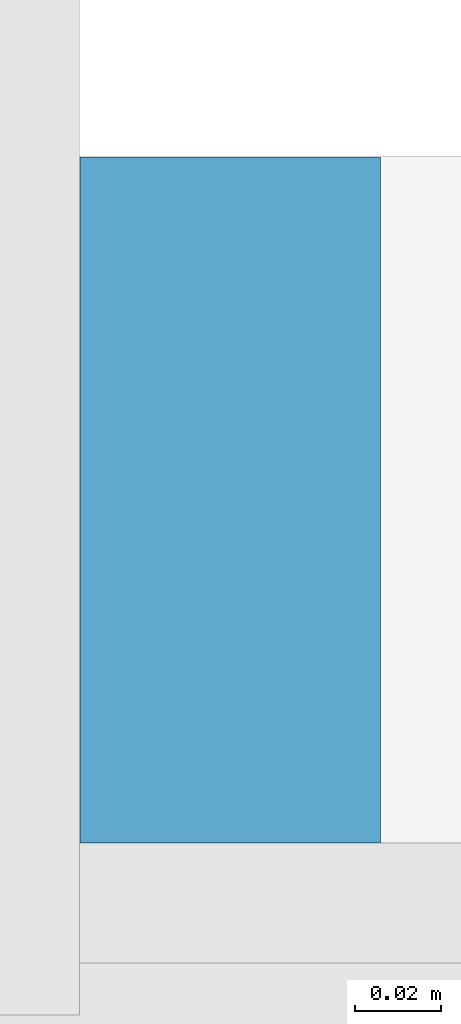
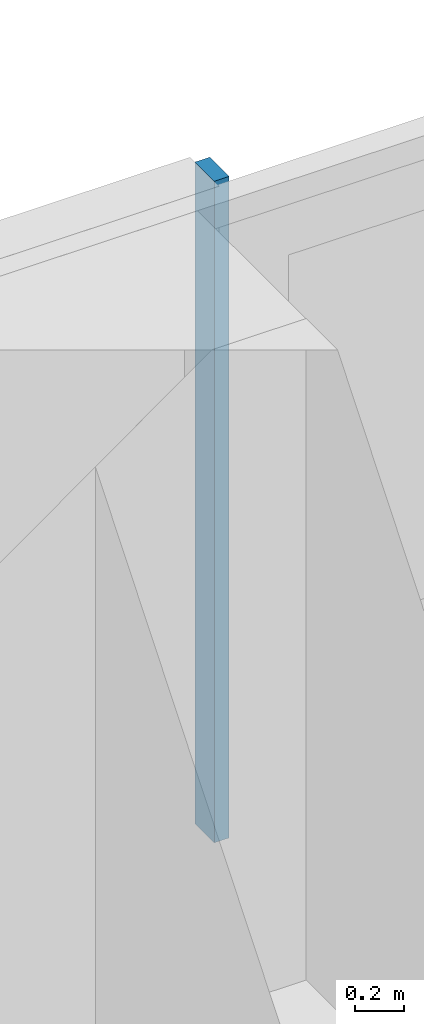
# One storey, part 10 of 29: 1 member, 1 element without a shape of its own.
"""IFC4 building model written with IfcOpenShell, lengths in metres."""

import ifcopenshell
import ifcopenshell.guid

model = None  # the IFC model being written
_history = None  # IfcOwnerHistory: only IFC2X3 demands one
_inside = {}  # id of a spatial element -> (the spatial element, [elements in it])
_under = {}  # id of a project, library or spatial element -> (it, [spatial elements below it])
_declared = {}  # id of a project -> (the project, [libraries it declares])
_typed = {}  # id of a type object -> (the type object, [elements of that type])
_made_of = {}  # id of a material, layer set ... -> (it, [elements and type objects made of it])


def new_model(schema):
    """Start an empty IFC model of exactly this schema.

    Asked for "IFC4X3", IfcOpenShell would pick the latest addendum, in which some entities
    have other attributes; the version numbers below select the first issue.
    IFC2X3 requires an IfcOwnerHistory on every rooted entity: one is made here for all.
    """
    global model, _history
    if schema == "IFC4X3":
        model = ifcopenshell.file(schema_version=(4, 3, 0, 0))
    else:
        model = ifcopenshell.file(schema=schema)
    _inside.clear()
    _under.clear()
    _declared.clear()
    _typed.clear()
    _made_of.clear()
    _history = None
    if model.schema == "IFC2X3":
        org = make("IfcOrganization", Name="unknown")
        user = make(
            "IfcPersonAndOrganization",
            ThePerson=make("IfcPerson", FamilyName="unknown"),
            TheOrganization=org,
        )
        app = make(
            "IfcApplication",
            ApplicationDeveloper=org,
            Version="unknown",
            ApplicationFullName="unknown",
            ApplicationIdentifier="unknown",
        )
        _history = make(
            "IfcOwnerHistory",
            OwningUser=user,
            OwningApplication=app,
            ChangeAction="ADDED",
            CreationDate=0,
        )
    return model


def make(cls, **values):
    """One entity of the class cls with the attributes given. An attribute that is None is left unset."""
    return model.create_entity(
        cls, **{name: value for name, value in values.items() if value is not None}
    )


def rooted(cls, **values):
    """An entity with a GlobalId (a new one), such as an element, a storey or a relation."""
    return make(cls, GlobalId=ifcopenshell.guid.new(), OwnerHistory=_history, **values)


def si_unit(unit_type, name, prefix=None):
    """IfcSIUnit, for example si_unit("LENGTHUNIT", "METRE", prefix="MILLI")."""
    return make("IfcSIUnit", UnitType=unit_type, Prefix=prefix, Name=name)


def assignment(units):
    """IfcUnitAssignment: the units of a project."""
    return None if units is None else make("IfcUnitAssignment", Units=units)


def point(xyz):
    """IfcCartesianPoint."""
    return None if xyz is None else make("IfcCartesianPoint", Coordinates=xyz)


def direction(xyz):
    """IfcDirection."""
    return None if xyz is None else make("IfcDirection", DirectionRatios=xyz)


def frame(location, z_axis=None, x_axis=None):
    """IfcAxis2Placement3D, a coordinate frame: its origin and axes. An axis left out is left unset."""
    return make(
        "IfcAxis2Placement3D",
        Location=point(location),
        Axis=direction(z_axis),
        RefDirection=direction(x_axis),
    )


def frame_2d(location, x_axis=None):
    """IfcAxis2Placement2D, a coordinate frame in the plane: its origin and x axis."""
    return make(
        "IfcAxis2Placement2D", Location=point(location), RefDirection=direction(x_axis)
    )


def origin():
    """The frame at (0, 0, 0) with its axes left unset."""
    return frame((0.0, 0.0, 0.0))


def origin_2d():
    """The frame at (0, 0) in the plane with its x axis left unset."""
    return frame_2d((0.0, 0.0))


def place(relative_to, where):
    """IfcLocalPlacement: puts the frame where relative to a parent placement (None: the world)."""
    return make(
        "IfcLocalPlacement", PlacementRelTo=relative_to, RelativePlacement=where
    )


def context(
    kind, dimensions, precision=None, world=None, true_north=None, identifier=None
):
    """IfcGeometricRepresentationContext, for example the 3D "Model" context."""
    return make(
        "IfcGeometricRepresentationContext",
        ContextIdentifier=identifier,
        ContextType=kind,
        CoordinateSpaceDimension=dimensions,
        Precision=precision,
        WorldCoordinateSystem=world,
        TrueNorth=true_north,
    )


def subcontext(parent, identifier, kind, view, scale=None):
    """IfcGeometricRepresentationSubContext, for example "Body" below "Model"."""
    return make(
        "IfcGeometricRepresentationSubContext",
        ContextIdentifier=identifier,
        ContextType=kind,
        ParentContext=parent,
        TargetScale=scale,
        TargetView=view,
    )


def project(units=None, contexts=None):
    """IfcProject with its units and contexts."""
    return rooted(
        "IfcProject",
        Name="project",
        RepresentationContexts=contexts,
        UnitsInContext=assignment(units),
    )


def spatial(cls, under=None, at=None, **own):
    """A site, building, storey or space (cls), placed at a placement, below another one or the project."""
    s = rooted(cls, ObjectPlacement=at, **own)
    if under is not None:
        _under.setdefault(under.id(), (under, []))[1].append(s)
    return s


def profile(cls, at=None, kind="AREA", **sizes):
    """A parametric profile (cls). Its sizes go by their IFC names, for example OverallWidth=200.0."""
    return make(cls, ProfileType=kind, Position=at, **sizes)


def rectangle(**sizes):
    """IfcRectangleProfileDef."""
    return profile("IfcRectangleProfileDef", **sizes)


def extrude(swept, where, along, depth):
    """IfcExtrudedAreaSolid: the profile swept, set in the frame where, extruded along a direction by depth."""
    return make(
        "IfcExtrudedAreaSolid",
        SweptArea=swept,
        Position=where,
        ExtrudedDirection=direction(along),
        Depth=depth,
    )


def shape(context_of_items, identifier, shape_type, items):
    """IfcShapeRepresentation: the items that make up one representation, for example the "Body"."""
    return make(
        "IfcShapeRepresentation",
        ContextOfItems=context_of_items,
        RepresentationIdentifier=identifier,
        RepresentationType=shape_type,
        Items=items,
    )


def material(Name=None, Category=None):
    """IfcMaterial."""
    return make("IfcMaterial", Name=Name, Category=Category)


def material_profile(
    of_material, cross_section, Name=None, Category=None, Priority=None
):
    """IfcMaterialProfile: a cross section and its material."""
    return make(
        "IfcMaterialProfile",
        Name=Name,
        Material=of_material,
        Profile=cross_section,
        Priority=Priority,
        Category=Category,
    )


def profile_set(profiles, Name=None, composite=None):
    """IfcMaterialProfileSet."""
    return make(
        "IfcMaterialProfileSet",
        Name=Name,
        MaterialProfiles=profiles,
        CompositeProfile=composite,
    )


def made_of(thing, what):
    """Note that an element or type object is made of a material, layer set ...; save() writes the relation."""
    if what is not None:
        _made_of.setdefault(what.id(), (what, []))[1].append(thing)
    return thing


def type_object(cls, material=None, **own):
    """A type object (cls), such as IfcWallType, which elements share."""
    return made_of(rooted(cls, **own), material)


def element(
    cls,
    number,
    at=None,
    inside=None,
    cuts=None,
    type_object=None,
    material=None,
    context=None,
    identifier="Body",
    shape_type=None,
    held_by="IfcProductDefinitionShape",
    body=None,
    shapes=None,
    **own,
):
    """One element of the class cls, such as IfcWall. Its Tag is "e" and its number.

    at: its placement. inside: the storey or other place that contains it. cuts: it is an
    opening in that element (IfcRelVoidsElement). A single representation is given by context,
    identifier, shape_type and body (its items); several are given by shapes. held_by: the class
    of the entity that holds the representations. save() writes the other relations.
    """
    e = rooted(cls, Tag="e%d" % number, ObjectPlacement=at, **own)
    if body is not None:
        shapes = [shape(context, identifier, shape_type, body)]
    if shapes is not None:
        e.Representation = make(held_by, Representations=shapes)
    if inside is not None:
        _inside.setdefault(inside.id(), (inside, []))[1].append(e)
    if cuts is not None:
        rooted(
            "IfcRelVoidsElement", RelatingBuildingElement=cuts, RelatedOpeningElement=e
        )
    if type_object is not None:
        _typed.setdefault(type_object.id(), (type_object, []))[1].append(e)
    return made_of(e, material)


def aggregate(whole, parts):
    """IfcRelAggregates: a whole, such as a stair, and the parts it consists of."""
    return rooted("IfcRelAggregates", RelatingObject=whole, RelatedObjects=parts)


def save(model, path):
    """Write the relations noted so far, then the file.

    IfcRelAggregates (storeys below a building ...), IfcRelContainedInSpatialStructure (elements
    in a storey), IfcRelDefinesByType, IfcRelAssociatesMaterial and IfcRelDeclares: one each for
    every whole, place, type object, material and project.
    """
    for whole, parts in _under.values():
        aggregate(whole, parts)
    for where, things in _inside.values():
        rooted(
            "IfcRelContainedInSpatialStructure",
            RelatedElements=things,
            RelatingStructure=where,
        )
    for kind, things in _typed.values():
        rooted("IfcRelDefinesByType", RelatedObjects=things, RelatingType=kind)
    for what, things in _made_of.values():
        rooted("IfcRelAssociatesMaterial", RelatedObjects=things, RelatingMaterial=what)
    for by, libraries in _declared.values():
        rooted("IfcRelDeclares", RelatingContext=by, RelatedDefinitions=libraries)
    model.write(path)


model = new_model("IFC4")

# Units and contexts
model_context = context("Model", 3, precision=1e-05, world=origin(), true_north=direction((0.0, 1.0)))
body_context = subcontext(model_context, "Body", "Model", "MODEL_VIEW")
ifc_project = project(units=[si_unit("LENGTHUNIT", "METRE"), si_unit("AREAUNIT", "SQUARE_METRE"), si_unit("VOLUMEUNIT", "CUBIC_METRE"), si_unit("PLANEANGLEUNIT", "RADIAN"), si_unit("MASSUNIT", "GRAM", prefix="KILO")], contexts=[model_context])

# Site, building, storey
site_placement = place(None, origin())
site = spatial("IfcSite", under=ifc_project, at=site_placement, CompositionType="ELEMENT")
building_placement = place(site_placement, origin())
building = spatial("IfcBuilding", under=site, at=building_placement, Name="Saffron Gate Tower", CompositionType="ELEMENT")
storey_placement = place(building_placement, frame((0.0, 0.0, 113.25)))
storey = spatial("IfcBuildingStorey", under=building, at=storey_placement, Name="L26", CompositionType="ELEMENT", Elevation=113.25)

# Curtain wall, member
ifc_material = material(Name="Aluminium, bronze anodised", Category="aluminium")
curtain_wall_type = type_object("IfcCurtainWallType", Name="CWS3 curtain wall rear facade", PredefinedType="NOTDEFINED", material=ifc_material)
curtain_wall_placement = place(storey_placement, origin())
curtain_wall = element("IfcCurtainWall", 1, at=curtain_wall_placement, inside=storey, type_object=curtain_wall_type, Name="CWS3 run 7", PredefinedType="NOTDEFINED")
ifc_material_profile = material_profile(ifc_material, rectangle(XDim=0.159912109375, YDim=0.070068359375, at=origin_2d()))
ifc_profile_set = profile_set([ifc_material_profile], Name="Aluminium, bronze anodised")
member_type = type_object("IfcMemberType", Name="CWS3 mullion 70x160", PredefinedType="MULLION", material=ifc_profile_set)
member_placement = place(storey_placement, frame((108.60009765625, 75.52001953125, 0.0), z_axis=(0.0, 0.0, 1.0), x_axis=(0.0, -1.0, 0.0)))
member = element("IfcMember", 2, at=member_placement, type_object=member_type, Name="CWS3 mullion 3", PredefinedType="MULLION", context=body_context, shape_type="SweptSolid", body=[
    extrude(rectangle(XDim=0.159912109375, YDim=0.070068359375, at=origin_2d()), origin(), (0.0, 0.0, 1.0), 3.320068359375),
])
aggregate(curtain_wall, [member])

save(model, "model.ifc")
